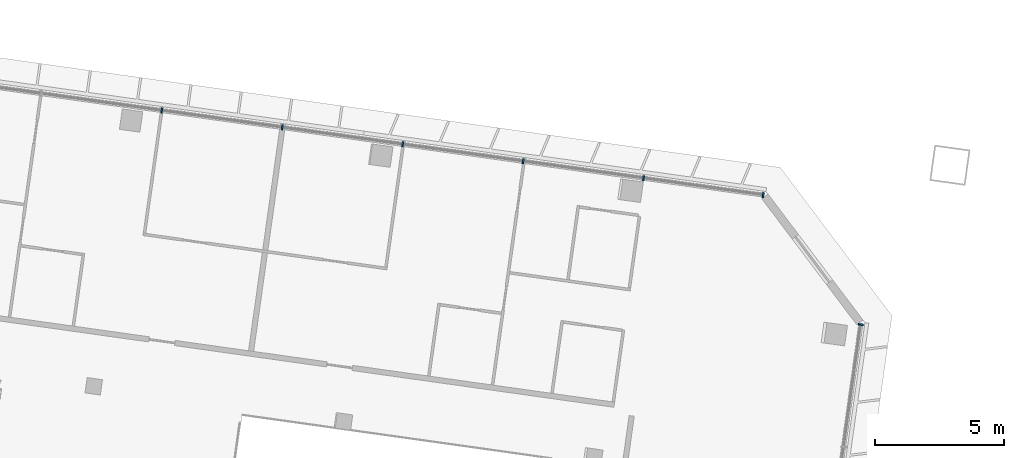
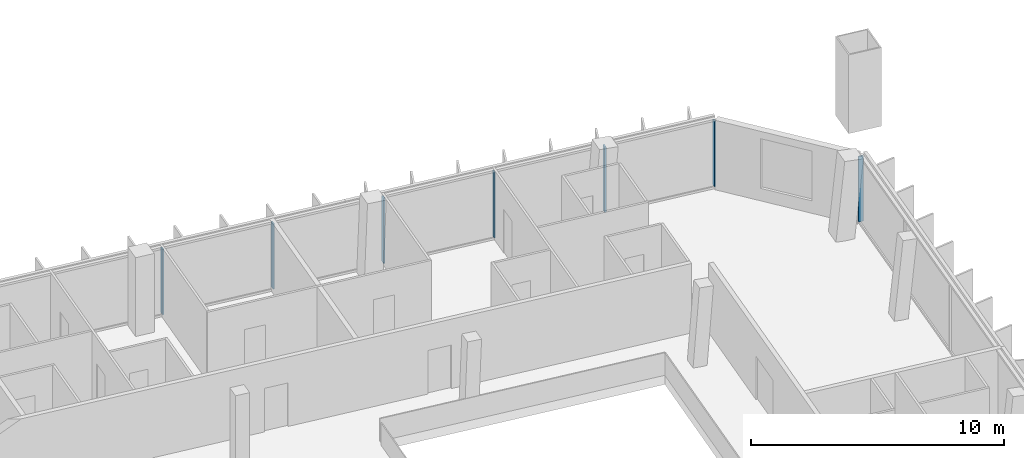
# One storey, part 6 of 23: 7 members, 2 elements without a shape of their own.
"""IFC4 building model written with IfcOpenShell, lengths in metres."""

import ifcopenshell
import ifcopenshell.guid

model = None  # the IFC model being written
_history = None  # IfcOwnerHistory: only IFC2X3 demands one
_inside = {}  # id of a spatial element -> (the spatial element, [elements in it])
_under = {}  # id of a project, library or spatial element -> (it, [spatial elements below it])
_declared = {}  # id of a project -> (the project, [libraries it declares])
_typed = {}  # id of a type object -> (the type object, [elements of that type])
_made_of = {}  # id of a material, layer set ... -> (it, [elements and type objects made of it])


def new_model(schema):
    """Start an empty IFC model of exactly this schema.

    Asked for "IFC4X3", IfcOpenShell would pick the latest addendum, in which some entities
    have other attributes; the version numbers below select the first issue.
    IFC2X3 requires an IfcOwnerHistory on every rooted entity: one is made here for all.
    """
    global model, _history
    if schema == "IFC4X3":
        model = ifcopenshell.file(schema_version=(4, 3, 0, 0))
    else:
        model = ifcopenshell.file(schema=schema)
    _inside.clear()
    _under.clear()
    _declared.clear()
    _typed.clear()
    _made_of.clear()
    _history = None
    if model.schema == "IFC2X3":
        org = make("IfcOrganization", Name="unknown")
        user = make(
            "IfcPersonAndOrganization",
            ThePerson=make("IfcPerson", FamilyName="unknown"),
            TheOrganization=org,
        )
        app = make(
            "IfcApplication",
            ApplicationDeveloper=org,
            Version="unknown",
            ApplicationFullName="unknown",
            ApplicationIdentifier="unknown",
        )
        _history = make(
            "IfcOwnerHistory",
            OwningUser=user,
            OwningApplication=app,
            ChangeAction="ADDED",
            CreationDate=0,
        )
    return model


def make(cls, **values):
    """One entity of the class cls with the attributes given. An attribute that is None is left unset."""
    return model.create_entity(
        cls, **{name: value for name, value in values.items() if value is not None}
    )


def rooted(cls, **values):
    """An entity with a GlobalId (a new one), such as an element, a storey or a relation."""
    return make(cls, GlobalId=ifcopenshell.guid.new(), OwnerHistory=_history, **values)


def si_unit(unit_type, name, prefix=None):
    """IfcSIUnit, for example si_unit("LENGTHUNIT", "METRE", prefix="MILLI")."""
    return make("IfcSIUnit", UnitType=unit_type, Prefix=prefix, Name=name)


def assignment(units):
    """IfcUnitAssignment: the units of a project."""
    return None if units is None else make("IfcUnitAssignment", Units=units)


def point(xyz):
    """IfcCartesianPoint."""
    return None if xyz is None else make("IfcCartesianPoint", Coordinates=xyz)


def direction(xyz):
    """IfcDirection."""
    return None if xyz is None else make("IfcDirection", DirectionRatios=xyz)


def frame(location, z_axis=None, x_axis=None):
    """IfcAxis2Placement3D, a coordinate frame: its origin and axes. An axis left out is left unset."""
    return make(
        "IfcAxis2Placement3D",
        Location=point(location),
        Axis=direction(z_axis),
        RefDirection=direction(x_axis),
    )


def frame_2d(location, x_axis=None):
    """IfcAxis2Placement2D, a coordinate frame in the plane: its origin and x axis."""
    return make(
        "IfcAxis2Placement2D", Location=point(location), RefDirection=direction(x_axis)
    )


def origin():
    """The frame at (0, 0, 0) with its axes left unset."""
    return frame((0.0, 0.0, 0.0))


def origin_2d():
    """The frame at (0, 0) in the plane with its x axis left unset."""
    return frame_2d((0.0, 0.0))


def place(relative_to, where):
    """IfcLocalPlacement: puts the frame where relative to a parent placement (None: the world)."""
    return make(
        "IfcLocalPlacement", PlacementRelTo=relative_to, RelativePlacement=where
    )


def context(
    kind, dimensions, precision=None, world=None, true_north=None, identifier=None
):
    """IfcGeometricRepresentationContext, for example the 3D "Model" context."""
    return make(
        "IfcGeometricRepresentationContext",
        ContextIdentifier=identifier,
        ContextType=kind,
        CoordinateSpaceDimension=dimensions,
        Precision=precision,
        WorldCoordinateSystem=world,
        TrueNorth=true_north,
    )


def subcontext(parent, identifier, kind, view, scale=None):
    """IfcGeometricRepresentationSubContext, for example "Body" below "Model"."""
    return make(
        "IfcGeometricRepresentationSubContext",
        ContextIdentifier=identifier,
        ContextType=kind,
        ParentContext=parent,
        TargetScale=scale,
        TargetView=view,
    )


def project(units=None, contexts=None):
    """IfcProject with its units and contexts."""
    return rooted(
        "IfcProject",
        Name="project",
        RepresentationContexts=contexts,
        UnitsInContext=assignment(units),
    )


def spatial(cls, under=None, at=None, **own):
    """A site, building, storey or space (cls), placed at a placement, below another one or the project."""
    s = rooted(cls, ObjectPlacement=at, **own)
    if under is not None:
        _under.setdefault(under.id(), (under, []))[1].append(s)
    return s


def profile(cls, at=None, kind="AREA", **sizes):
    """A parametric profile (cls). Its sizes go by their IFC names, for example OverallWidth=200.0."""
    return make(cls, ProfileType=kind, Position=at, **sizes)


def rectangle(**sizes):
    """IfcRectangleProfileDef."""
    return profile("IfcRectangleProfileDef", **sizes)


def extrude(swept, where, along, depth):
    """IfcExtrudedAreaSolid: the profile swept, set in the frame where, extruded along a direction by depth."""
    return make(
        "IfcExtrudedAreaSolid",
        SweptArea=swept,
        Position=where,
        ExtrudedDirection=direction(along),
        Depth=depth,
    )


def shape(context_of_items, identifier, shape_type, items):
    """IfcShapeRepresentation: the items that make up one representation, for example the "Body"."""
    return make(
        "IfcShapeRepresentation",
        ContextOfItems=context_of_items,
        RepresentationIdentifier=identifier,
        RepresentationType=shape_type,
        Items=items,
    )


def material(Name=None, Category=None):
    """IfcMaterial."""
    return make("IfcMaterial", Name=Name, Category=Category)


def material_profile(
    of_material, cross_section, Name=None, Category=None, Priority=None
):
    """IfcMaterialProfile: a cross section and its material."""
    return make(
        "IfcMaterialProfile",
        Name=Name,
        Material=of_material,
        Profile=cross_section,
        Priority=Priority,
        Category=Category,
    )


def profile_set(profiles, Name=None, composite=None):
    """IfcMaterialProfileSet."""
    return make(
        "IfcMaterialProfileSet",
        Name=Name,
        MaterialProfiles=profiles,
        CompositeProfile=composite,
    )


def made_of(thing, what):
    """Note that an element or type object is made of a material, layer set ...; save() writes the relation."""
    if what is not None:
        _made_of.setdefault(what.id(), (what, []))[1].append(thing)
    return thing


def type_object(cls, material=None, **own):
    """A type object (cls), such as IfcWallType, which elements share."""
    return made_of(rooted(cls, **own), material)


def element(
    cls,
    number,
    at=None,
    inside=None,
    cuts=None,
    type_object=None,
    material=None,
    context=None,
    identifier="Body",
    shape_type=None,
    held_by="IfcProductDefinitionShape",
    body=None,
    shapes=None,
    **own,
):
    """One element of the class cls, such as IfcWall. Its Tag is "e" and its number.

    at: its placement. inside: the storey or other place that contains it. cuts: it is an
    opening in that element (IfcRelVoidsElement). A single representation is given by context,
    identifier, shape_type and body (its items); several are given by shapes. held_by: the class
    of the entity that holds the representations. save() writes the other relations.
    """
    e = rooted(cls, Tag="e%d" % number, ObjectPlacement=at, **own)
    if body is not None:
        shapes = [shape(context, identifier, shape_type, body)]
    if shapes is not None:
        e.Representation = make(held_by, Representations=shapes)
    if inside is not None:
        _inside.setdefault(inside.id(), (inside, []))[1].append(e)
    if cuts is not None:
        rooted(
            "IfcRelVoidsElement", RelatingBuildingElement=cuts, RelatedOpeningElement=e
        )
    if type_object is not None:
        _typed.setdefault(type_object.id(), (type_object, []))[1].append(e)
    return made_of(e, material)


def aggregate(whole, parts):
    """IfcRelAggregates: a whole, such as a stair, and the parts it consists of."""
    return rooted("IfcRelAggregates", RelatingObject=whole, RelatedObjects=parts)


def save(model, path):
    """Write the relations noted so far, then the file.

    IfcRelAggregates (storeys below a building ...), IfcRelContainedInSpatialStructure (elements
    in a storey), IfcRelDefinesByType, IfcRelAssociatesMaterial and IfcRelDeclares: one each for
    every whole, place, type object, material and project.
    """
    for whole, parts in _under.values():
        aggregate(whole, parts)
    for where, things in _inside.values():
        rooted(
            "IfcRelContainedInSpatialStructure",
            RelatedElements=things,
            RelatingStructure=where,
        )
    for kind, things in _typed.values():
        rooted("IfcRelDefinesByType", RelatedObjects=things, RelatingType=kind)
    for what, things in _made_of.values():
        rooted("IfcRelAssociatesMaterial", RelatedObjects=things, RelatingMaterial=what)
    for by, libraries in _declared.values():
        rooted("IfcRelDeclares", RelatingContext=by, RelatedDefinitions=libraries)
    model.write(path)


model = new_model("IFC4")

# Units and contexts
model_context = context("Model", 3, precision=1e-05, world=origin(), true_north=direction((0.0, 1.0)))
body_context = subcontext(model_context, "Body", "Model", "MODEL_VIEW")
ifc_project = project(units=[si_unit("LENGTHUNIT", "METRE"), si_unit("AREAUNIT", "SQUARE_METRE"), si_unit("VOLUMEUNIT", "CUBIC_METRE"), si_unit("PLANEANGLEUNIT", "RADIAN"), si_unit("MASSUNIT", "GRAM", prefix="KILO")], contexts=[model_context])

# Site, building, storey
site_placement = place(None, origin())
site = spatial("IfcSite", under=ifc_project, at=site_placement, CompositionType="ELEMENT")
building_placement = place(site_placement, origin())
building = spatial("IfcBuilding", under=site, at=building_placement, Name="Mirante Cascada Hotel Towers", CompositionType="ELEMENT")
storey_placement = place(building_placement, frame((0.0, 0.0, 195.4)))
storey = spatial("IfcBuildingStorey", under=building, at=storey_placement, Name="L46", CompositionType="ELEMENT", Elevation=195.4)

# Curtain wall, members
ifc_material_1 = material(Name="Aluminium mullion and transom frame with clear laminated glass", Category="aluminium")
curtain_wall_type_1 = type_object("IfcCurtainWallType", Name="Ribbon curtain wall ECW1", PredefinedType="NOTDEFINED", material=ifc_material_1)
curtain_wall_1_placement = place(storey_placement, origin())
curtain_wall_1 = element("IfcCurtainWall", 1, at=curtain_wall_1_placement, inside=storey, type_object=curtain_wall_type_1, Name="Front ribbon wall T1 L46", PredefinedType="NOTDEFINED")
ifc_material_2 = material(Name="Anodised aluminium extrusion", Category="aluminium")
ifc_material_profile_1 = material_profile(ifc_material_2, rectangle(XDim=0.2, YDim=0.065, at=origin_2d()), Name="ECW1 MULLION 65x200")
ifc_profile_set_1 = profile_set([ifc_material_profile_1], Name="Anodised aluminium extrusion")
member_type_1 = type_object("IfcMemberType", Name="ECW1 mullion 65x200", PredefinedType="MULLION", material=ifc_profile_set_1)
member_1_placement = place(storey_placement, frame((-53.0019, 20.268, 0.1), z_axis=(0.0, 0.0, 1.0), x_axis=(0.1391731, 0.9902681, 0.0)))
member_1 = element("IfcMember", 2, at=member_1_placement, type_object=member_type_1, Name="ECW1 mullion 6", PredefinedType="MULLION", context=body_context, shape_type="SweptSolid", body=[
    extrude(rectangle(XDim=0.2, YDim=0.065, at=origin_2d()), origin(), (0.0, 0.0, 1.0), 3.15),
])
member_2_placement = place(storey_placement, frame((-48.3356, 19.6122, 0.1), z_axis=(0.0, 0.0, 1.0), x_axis=(0.1391731, 0.9902681, 0.0)))
member_2 = element("IfcMember", 3, at=member_2_placement, type_object=member_type_1, Name="ECW1 mullion 7", PredefinedType="MULLION", context=body_context, shape_type="SweptSolid", body=[
    extrude(rectangle(XDim=0.2, YDim=0.065, at=origin_2d()), origin(), (0.0, 0.0, 1.0), 3.15),
])
member_3_placement = place(storey_placement, frame((-43.6693, 18.9563, 0.1), z_axis=(0.0, 0.0, 1.0), x_axis=(0.1391731, 0.9902681, 0.0)))
member_3 = element("IfcMember", 4, at=member_3_placement, type_object=member_type_1, Name="ECW1 mullion 8", PredefinedType="MULLION", context=body_context, shape_type="SweptSolid", body=[
    extrude(rectangle(XDim=0.2, YDim=0.065, at=origin_2d()), origin(), (0.0, 0.0, 1.0), 3.15),
])
member_4_placement = place(storey_placement, frame((-39.003, 18.3005, 0.1), z_axis=(0.0, 0.0, 1.0), x_axis=(0.1391731, 0.9902681, 0.0)))
member_4 = element("IfcMember", 5, at=member_4_placement, type_object=member_type_1, Name="ECW1 mullion 9", PredefinedType="MULLION", context=body_context, shape_type="SweptSolid", body=[
    extrude(rectangle(XDim=0.2, YDim=0.065, at=origin_2d()), origin(), (0.0, 0.0, 1.0), 3.15),
])
member_5_placement = place(storey_placement, frame((-34.3368, 17.6447, 0.1), z_axis=(0.0, 0.0, 1.0), x_axis=(0.1391731, 0.9902681, 0.0)))
member_5 = element("IfcMember", 6, at=member_5_placement, type_object=member_type_1, Name="ECW1 mullion 10", PredefinedType="MULLION", context=body_context, shape_type="SweptSolid", body=[
    extrude(rectangle(XDim=0.2, YDim=0.065, at=origin_2d()), origin(), (0.0, 0.0, 1.0), 3.15),
])
member_6_placement = place(storey_placement, frame((-29.7026, 16.9935, 0.1), z_axis=(0.0, 0.0, 1.0), x_axis=(0.1391731, 0.9902681, 0.0)))
member_6 = element("IfcMember", 7, at=member_6_placement, type_object=member_type_1, Name="ECW1 mullion 11", PredefinedType="MULLION", context=body_context, shape_type="SweptSolid", body=[
    extrude(rectangle(XDim=0.2, YDim=0.065, at=origin_2d()), origin(), (0.0, 0.0, 1.0), 3.15),
])
aggregate(curtain_wall_1, [member_1, member_2, member_3, member_4, member_5, member_6])

# Curtain wall, member
ifc_material_3 = material(Name="Aluminium mullion and transom frame with clear laminated glass", Category="aluminium")
curtain_wall_type_2 = type_object("IfcCurtainWallType", Name="End ribbon curtain wall ECW2", PredefinedType="NOTDEFINED", material=ifc_material_3)
curtain_wall_2_placement = place(storey_placement, origin())
curtain_wall_2 = element("IfcCurtainWall", 8, at=curtain_wall_2_placement, inside=storey, type_object=curtain_wall_type_2, Name="Inner end wall T1 L46", PredefinedType="NOTDEFINED")
ifc_material_4 = material(Name="Anodised aluminium extrusion", Category="aluminium")
ifc_material_profile_2 = material_profile(ifc_material_4, rectangle(XDim=0.2, YDim=0.065, at=origin_2d()), Name="ECW2 MULLION 65x200")
ifc_profile_set_2 = profile_set([ifc_material_profile_2], Name="Anodised aluminium extrusion")
member_type_2 = type_object("IfcMemberType", Name="ECW2 mullion 65x200", PredefinedType="MULLION", material=ifc_profile_set_2)
member_7_placement = place(storey_placement, frame((-25.9198, 11.9735, 0.1), z_axis=(0.0, 0.0, 1.0), x_axis=(0.9902681, -0.1391731, 0.0)))
member_7 = element("IfcMember", 9, at=member_7_placement, type_object=member_type_2, Name="ECW2 mullion 1", PredefinedType="MULLION", context=body_context, shape_type="SweptSolid", body=[
    extrude(rectangle(XDim=0.2, YDim=0.065, at=origin_2d()), origin(), (0.0, 0.0, 1.0), 3.15),
])
aggregate(curtain_wall_2, [member_7])

save(model, "model.ifc")
